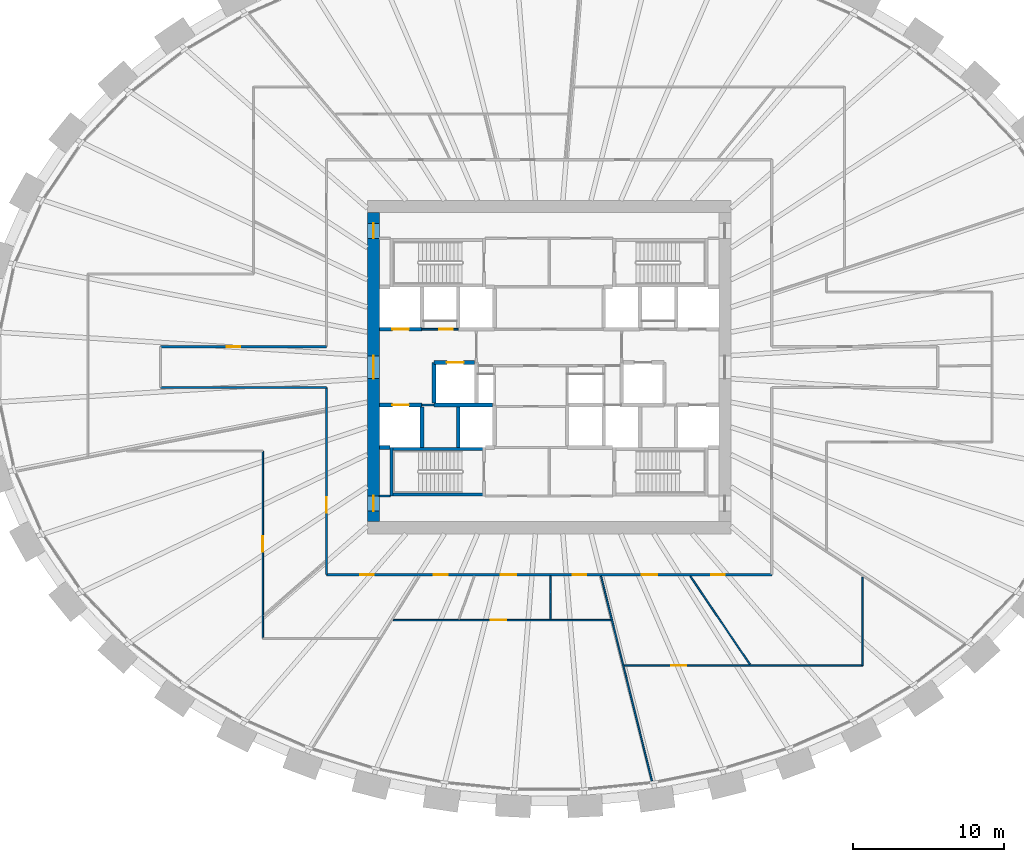
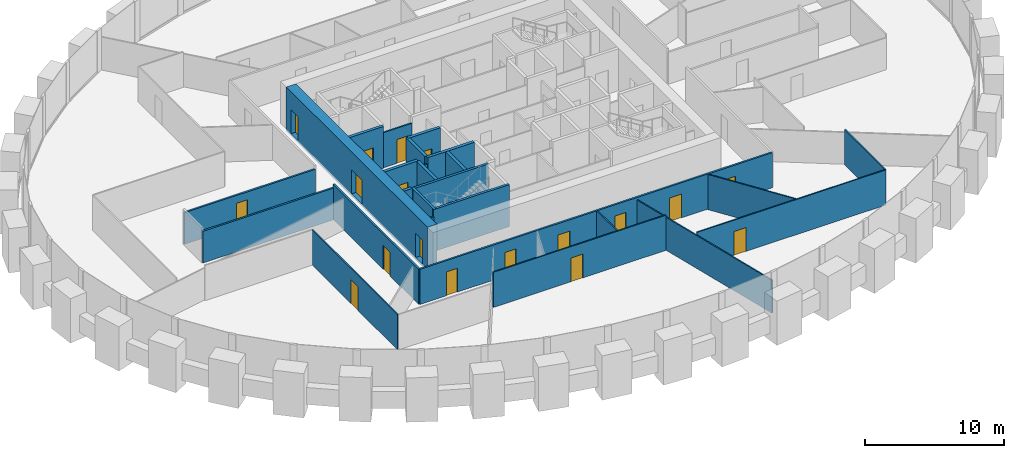
# One storey, part 6 of 10: 26 walls, 18 doors, 18 openings.
"""IFC4 building model written with IfcOpenShell, lengths in metres."""

import ifcopenshell
import ifcopenshell.guid

model = None  # the IFC model being written
_history = None  # IfcOwnerHistory: only IFC2X3 demands one
_inside = {}  # id of a spatial element -> (the spatial element, [elements in it])
_under = {}  # id of a project, library or spatial element -> (it, [spatial elements below it])
_declared = {}  # id of a project -> (the project, [libraries it declares])
_typed = {}  # id of a type object -> (the type object, [elements of that type])
_made_of = {}  # id of a material, layer set ... -> (it, [elements and type objects made of it])


def new_model(schema):
    """Start an empty IFC model of exactly this schema.

    Asked for "IFC4X3", IfcOpenShell would pick the latest addendum, in which some entities
    have other attributes; the version numbers below select the first issue.
    IFC2X3 requires an IfcOwnerHistory on every rooted entity: one is made here for all.
    """
    global model, _history
    if schema == "IFC4X3":
        model = ifcopenshell.file(schema_version=(4, 3, 0, 0))
    else:
        model = ifcopenshell.file(schema=schema)
    _inside.clear()
    _under.clear()
    _declared.clear()
    _typed.clear()
    _made_of.clear()
    _history = None
    if model.schema == "IFC2X3":
        org = make("IfcOrganization", Name="unknown")
        user = make(
            "IfcPersonAndOrganization",
            ThePerson=make("IfcPerson", FamilyName="unknown"),
            TheOrganization=org,
        )
        app = make(
            "IfcApplication",
            ApplicationDeveloper=org,
            Version="unknown",
            ApplicationFullName="unknown",
            ApplicationIdentifier="unknown",
        )
        _history = make(
            "IfcOwnerHistory",
            OwningUser=user,
            OwningApplication=app,
            ChangeAction="ADDED",
            CreationDate=0,
        )
    return model


def make(cls, **values):
    """One entity of the class cls with the attributes given. An attribute that is None is left unset."""
    return model.create_entity(
        cls, **{name: value for name, value in values.items() if value is not None}
    )


def rooted(cls, **values):
    """An entity with a GlobalId (a new one), such as an element, a storey or a relation."""
    return make(cls, GlobalId=ifcopenshell.guid.new(), OwnerHistory=_history, **values)


def si_unit(unit_type, name, prefix=None):
    """IfcSIUnit, for example si_unit("LENGTHUNIT", "METRE", prefix="MILLI")."""
    return make("IfcSIUnit", UnitType=unit_type, Prefix=prefix, Name=name)


def assignment(units):
    """IfcUnitAssignment: the units of a project."""
    return None if units is None else make("IfcUnitAssignment", Units=units)


def point(xyz):
    """IfcCartesianPoint."""
    return None if xyz is None else make("IfcCartesianPoint", Coordinates=xyz)


def direction(xyz):
    """IfcDirection."""
    return None if xyz is None else make("IfcDirection", DirectionRatios=xyz)


def frame(location, z_axis=None, x_axis=None):
    """IfcAxis2Placement3D, a coordinate frame: its origin and axes. An axis left out is left unset."""
    return make(
        "IfcAxis2Placement3D",
        Location=point(location),
        Axis=direction(z_axis),
        RefDirection=direction(x_axis),
    )


def frame_2d(location, x_axis=None):
    """IfcAxis2Placement2D, a coordinate frame in the plane: its origin and x axis."""
    return make(
        "IfcAxis2Placement2D", Location=point(location), RefDirection=direction(x_axis)
    )


def origin():
    """The frame at (0, 0, 0) with its axes left unset."""
    return frame((0.0, 0.0, 0.0))


def place(relative_to, where):
    """IfcLocalPlacement: puts the frame where relative to a parent placement (None: the world)."""
    return make(
        "IfcLocalPlacement", PlacementRelTo=relative_to, RelativePlacement=where
    )


def context(
    kind, dimensions, precision=None, world=None, true_north=None, identifier=None
):
    """IfcGeometricRepresentationContext, for example the 3D "Model" context."""
    return make(
        "IfcGeometricRepresentationContext",
        ContextIdentifier=identifier,
        ContextType=kind,
        CoordinateSpaceDimension=dimensions,
        Precision=precision,
        WorldCoordinateSystem=world,
        TrueNorth=true_north,
    )


def subcontext(parent, identifier, kind, view, scale=None):
    """IfcGeometricRepresentationSubContext, for example "Body" below "Model"."""
    return make(
        "IfcGeometricRepresentationSubContext",
        ContextIdentifier=identifier,
        ContextType=kind,
        ParentContext=parent,
        TargetScale=scale,
        TargetView=view,
    )


def project(units=None, contexts=None):
    """IfcProject with its units and contexts."""
    return rooted(
        "IfcProject",
        Name="project",
        RepresentationContexts=contexts,
        UnitsInContext=assignment(units),
    )


def spatial(cls, under=None, at=None, **own):
    """A site, building, storey or space (cls), placed at a placement, below another one or the project."""
    s = rooted(cls, ObjectPlacement=at, **own)
    if under is not None:
        _under.setdefault(under.id(), (under, []))[1].append(s)
    return s


def profile(cls, at=None, kind="AREA", **sizes):
    """A parametric profile (cls). Its sizes go by their IFC names, for example OverallWidth=200.0."""
    return make(cls, ProfileType=kind, Position=at, **sizes)


def rectangle(**sizes):
    """IfcRectangleProfileDef."""
    return profile("IfcRectangleProfileDef", **sizes)


def extrude(swept, where, along, depth):
    """IfcExtrudedAreaSolid: the profile swept, set in the frame where, extruded along a direction by depth."""
    return make(
        "IfcExtrudedAreaSolid",
        SweptArea=swept,
        Position=where,
        ExtrudedDirection=direction(along),
        Depth=depth,
    )


def shape(context_of_items, identifier, shape_type, items):
    """IfcShapeRepresentation: the items that make up one representation, for example the "Body"."""
    return make(
        "IfcShapeRepresentation",
        ContextOfItems=context_of_items,
        RepresentationIdentifier=identifier,
        RepresentationType=shape_type,
        Items=items,
    )


def source(mapping_origin, context_of_items, identifier, shape_type, items):
    """IfcRepresentationMap: a shape defined once, which mapped items show again and again."""
    return make(
        "IfcRepresentationMap",
        MappingOrigin=mapping_origin,
        MappedRepresentation=shape(context_of_items, identifier, shape_type, items),
    )


def transform(
    local_origin,
    x_axis=None,
    y_axis=None,
    z_axis=None,
    scale=None,
    scale2=None,
    scale3=None,
    uniform=True,
):
    """IfcCartesianTransformationOperator3D, or its non-uniform kind. x_axis, y_axis, z_axis: its Axis1, 2, 3."""
    if uniform:
        return make(
            "IfcCartesianTransformationOperator3D",
            Axis1=direction(x_axis),
            Axis2=direction(y_axis),
            LocalOrigin=point(local_origin),
            Scale=scale,
            Axis3=direction(z_axis),
        )
    return make(
        "IfcCartesianTransformationOperator3DnonUniform",
        Axis1=direction(x_axis),
        Axis2=direction(y_axis),
        LocalOrigin=point(local_origin),
        Scale=scale,
        Axis3=direction(z_axis),
        Scale2=scale2,
        Scale3=scale3,
    )


def mapped(mapping_source, mapping_target):
    """IfcMappedItem: shows the shape of a source again, moved by a transform."""
    return make(
        "IfcMappedItem", MappingSource=mapping_source, MappingTarget=mapping_target
    )


def material(Name=None, Category=None):
    """IfcMaterial."""
    return make("IfcMaterial", Name=Name, Category=Category)


def layer(
    of_material, thickness, ventilated=None, Name=None, Category=None, Priority=None
):
    """IfcMaterialLayer: one layer of a wall or slab, of a material (None: an air gap)."""
    return make(
        "IfcMaterialLayer",
        Material=of_material,
        LayerThickness=thickness,
        IsVentilated=ventilated,
        Name=Name,
        Category=Category,
        Priority=Priority,
    )


def layer_set(layers, Name=None):
    """IfcMaterialLayerSet."""
    return make("IfcMaterialLayerSet", MaterialLayers=layers, LayerSetName=Name)


def made_of(thing, what):
    """Note that an element or type object is made of a material, layer set ...; save() writes the relation."""
    if what is not None:
        _made_of.setdefault(what.id(), (what, []))[1].append(thing)
    return thing


def type_object(cls, material=None, **own):
    """A type object (cls), such as IfcWallType, which elements share."""
    return made_of(rooted(cls, **own), material)


def element(
    cls,
    number,
    at=None,
    inside=None,
    cuts=None,
    type_object=None,
    material=None,
    context=None,
    identifier="Body",
    shape_type=None,
    held_by="IfcProductDefinitionShape",
    body=None,
    shapes=None,
    **own,
):
    """One element of the class cls, such as IfcWall. Its Tag is "e" and its number.

    at: its placement. inside: the storey or other place that contains it. cuts: it is an
    opening in that element (IfcRelVoidsElement). A single representation is given by context,
    identifier, shape_type and body (its items); several are given by shapes. held_by: the class
    of the entity that holds the representations. save() writes the other relations.
    """
    e = rooted(cls, Tag="e%d" % number, ObjectPlacement=at, **own)
    if body is not None:
        shapes = [shape(context, identifier, shape_type, body)]
    if shapes is not None:
        e.Representation = make(held_by, Representations=shapes)
    if inside is not None:
        _inside.setdefault(inside.id(), (inside, []))[1].append(e)
    if cuts is not None:
        rooted(
            "IfcRelVoidsElement", RelatingBuildingElement=cuts, RelatedOpeningElement=e
        )
    if type_object is not None:
        _typed.setdefault(type_object.id(), (type_object, []))[1].append(e)
    return made_of(e, material)


def fill(opening, filler):
    """IfcRelFillsElement: the door or window that sits in an opening."""
    return rooted(
        "IfcRelFillsElement",
        RelatingOpeningElement=opening,
        RelatedBuildingElement=filler,
    )


def aggregate(whole, parts):
    """IfcRelAggregates: a whole, such as a stair, and the parts it consists of."""
    return rooted("IfcRelAggregates", RelatingObject=whole, RelatedObjects=parts)


def save(model, path):
    """Write the relations noted so far, then the file.

    IfcRelAggregates (storeys below a building ...), IfcRelContainedInSpatialStructure (elements
    in a storey), IfcRelDefinesByType, IfcRelAssociatesMaterial and IfcRelDeclares: one each for
    every whole, place, type object, material and project.
    """
    for whole, parts in _under.values():
        aggregate(whole, parts)
    for where, things in _inside.values():
        rooted(
            "IfcRelContainedInSpatialStructure",
            RelatedElements=things,
            RelatingStructure=where,
        )
    for kind, things in _typed.values():
        rooted("IfcRelDefinesByType", RelatedObjects=things, RelatingType=kind)
    for what, things in _made_of.values():
        rooted("IfcRelAssociatesMaterial", RelatedObjects=things, RelatingMaterial=what)
    for by, libraries in _declared.values():
        rooted("IfcRelDeclares", RelatingContext=by, RelatedDefinitions=libraries)
    model.write(path)


model = new_model("IFC4")

# Units and contexts
model_context = context("Model", 3, precision=1e-05, world=origin(), true_north=direction((0.0, 1.0)))
body_context = subcontext(model_context, "Body", "Model", "MODEL_VIEW")
ifc_project = project(units=[si_unit("LENGTHUNIT", "METRE"), si_unit("AREAUNIT", "SQUARE_METRE"), si_unit("VOLUMEUNIT", "CUBIC_METRE"), si_unit("PLANEANGLEUNIT", "RADIAN"), si_unit("MASSUNIT", "GRAM", prefix="KILO")], contexts=[model_context])

# Site, building, storey
site_placement = place(None, origin())
site = spatial("IfcSite", under=ifc_project, at=site_placement, CompositionType="ELEMENT")
building_placement = place(site_placement, origin())
building = spatial("IfcBuilding", under=site, at=building_placement, Name="Embergate Tower", CompositionType="ELEMENT")
storey_placement = place(building_placement, frame((0.0, 0.0, 167.699951171875)))
storey = spatial("IfcBuildingStorey", under=building, at=storey_placement, Name="L37", CompositionType="ELEMENT", Elevation=167.699951171875)

# Wall, openings, doors
ifc_material_1 = material(Name="Concrete C70", Category="concrete")
ifc_layer_1 = layer(ifc_material_1, 0.800048828125)
ifc_layer_set_1 = layer_set([ifc_layer_1], Name="Concrete C70")
wall_type_1 = type_object("IfcWallType", Name="Core outer wall C70 800", PredefinedType="SHEAR", material=ifc_layer_set_1)
shared_shape_1 = source(origin(), body_context, "Body", "SweptSolid", [
    extrude(rectangle(XDim=20.39990234375, YDim=0.800048828125, at=frame_2d((10.199951171875, 0.0))), origin(), (0.0, 0.0, 1.0), 3.89990234375),
])
wall_1_placement = place(storey_placement, frame((-11.60009765625, -10.199951171875, -0.199951171875), z_axis=(0.0, 0.0, 1.0), x_axis=(0.0, 1.0, 0.0)))
wall_1 = element("IfcWall", 1, at=wall_1_placement, inside=storey, type_object=wall_type_1, Name="CW-L37-W", PredefinedType="SHEAR", context=body_context, shape_type="MappedRepresentation", body=[
    mapped(shared_shape_1, transform((0.0, 0.0, 0.0))),
])
shared_shape_2 = source(origin(), body_context, "Body", "SweptSolid", [
    extrude(rectangle(XDim=1.0, YDim=2.10009765625, at=frame_2d((0.5, 1.050048828125))), frame((0.0, 0.409912109375, 0.0), z_axis=(0.0, -1.0, 0.0), x_axis=(1.0, 0.0, 0.0)), (0.0, 0.0, 1.0), 0.820068359375),
])
opening_1_placement = place(wall_1_placement, frame((18.699951171875, 0.0, 0.199951171875)))
opening_1 = element("IfcOpeningElement", 2, at=opening_1_placement, cuts=wall_1, Name="Opening IF-1d", PredefinedType="OPENING", context=body_context, shape_type="MappedRepresentation", body=[
    mapped(shared_shape_2, transform((0.0, 0.0, 0.0))),
])
opening_2_placement = place(wall_1_placement, frame((0.699951171875, 0.0, 0.199951171875)))
opening_2 = element("IfcOpeningElement", 3, at=opening_2_placement, cuts=wall_1, Name="Opening IF-1d", PredefinedType="OPENING", context=body_context, shape_type="MappedRepresentation", body=[
    mapped(shared_shape_2, transform((0.0, 0.0, 0.0))),
])
shared_shape_3 = source(origin(), body_context, "Body", "SweptSolid", [
    extrude(rectangle(XDim=1.5, YDim=2.10009765625, at=frame_2d((0.75, 1.050048828125))), frame((0.0, 0.409912109375, 0.0), z_axis=(0.0, -1.0, 0.0), x_axis=(1.0, 0.0, 0.0)), (0.0, 0.0, 1.0), 0.820068359375),
])
opening_3_placement = place(wall_1_placement, frame((9.449951171875, 0.0, 0.199951171875)))
opening_3 = element("IfcOpeningElement", 4, at=opening_3_placement, cuts=wall_1, Name="Opening IF-3", PredefinedType="OPENING", context=body_context, shape_type="MappedRepresentation", body=[
    mapped(shared_shape_3, transform((0.0, 0.0, 0.0))),
])
ifc_material_2 = material(Name="Lobby fire door pair 1500")
door_type_1 = type_object("IfcDoorType", Name="Lobby fire door pair 1500", OperationType="DOUBLE_DOOR_SINGLE_SWING", PredefinedType="DOOR", material=ifc_material_2)
shared_shape_4 = source(origin(), body_context, "Body", "SweptSolid", [
    extrude(rectangle(XDim=1.5, YDim=2.10009765625, at=frame_2d((0.75, 1.050048828125))), frame((0.0, 0.02490234375, 0.0), z_axis=(0.0, -1.0, 0.0), x_axis=(1.0, 0.0, 0.0)), (0.0, 0.0, 1.0), 0.050048828125),
])
door_1_placement = place(opening_3_placement, origin())
door_1 = element("IfcDoor", 5, at=door_1_placement, inside=storey, type_object=door_type_1, Name="IF-3 door", OperationType="DOUBLE_DOOR_SINGLE_SWING", OverallHeight=2.10009765625, OverallWidth=1.5, PredefinedType="DOOR", context=body_context, shape_type="MappedRepresentation", body=[
    mapped(shared_shape_4, transform((0.0, 0.0, 0.0))),
])
fill(opening_3, door_1)
ifc_material_3 = material(Name="Escape fire door 1000")
door_type_2 = type_object("IfcDoorType", Name="Escape fire door 1000", OperationType="SINGLE_SWING_LEFT", PredefinedType="DOOR", material=ifc_material_3)
shared_shape_5 = source(origin(), body_context, "Body", "SweptSolid", [
    extrude(rectangle(XDim=1.0, YDim=2.10009765625, at=frame_2d((0.5, 1.050048828125))), frame((0.0, 0.02490234375, 0.0), z_axis=(0.0, -1.0, 0.0), x_axis=(1.0, 0.0, 0.0)), (0.0, 0.0, 1.0), 0.050048828125),
])
door_2_placement = place(opening_1_placement, origin())
door_2 = element("IfcDoor", 6, at=door_2_placement, inside=storey, type_object=door_type_2, Name="IF-1 door", OperationType="SINGLE_SWING_RIGHT", OverallHeight=2.10009765625, OverallWidth=1.0, PredefinedType="DOOR", context=body_context, shape_type="MappedRepresentation", body=[
    mapped(shared_shape_5, transform((0.0, 0.0, 0.0))),
])
fill(opening_1, door_2)
door_3_placement = place(opening_2_placement, origin())
door_3 = element("IfcDoor", 7, at=door_3_placement, inside=storey, type_object=door_type_2, Name="IF-1 door", OperationType="SINGLE_SWING_RIGHT", OverallHeight=2.10009765625, OverallWidth=1.0, PredefinedType="DOOR", context=body_context, shape_type="MappedRepresentation", body=[
    mapped(shared_shape_5, transform((0.0, 0.0, 0.0))),
])
fill(opening_2, door_3)

# Wall, opening, door
ifc_material_4 = material(Name="Concrete C50", Category="concrete")
ifc_layer_2 = layer(ifc_material_4, 0.25)
ifc_layer_set_2 = layer_set([ifc_layer_2], Name="Concrete C50")
wall_type_2 = type_object("IfcWallType", Name="Hoistway wall reinforced concrete 250", PredefinedType="SHEAR", material=ifc_layer_set_2)
shared_shape_6 = source(origin(), body_context, "Body", "SweptSolid", [
    extrude(rectangle(XDim=2.675048828125, YDim=0.25, at=frame_2d((1.33740234375, 0.0))), origin(), (0.0, 0.0, 1.0), 3.699951171875),
])
wall_2_placement = place(storey_placement, frame((-4.925048828125, 0.300048828125, 0.0), z_axis=(0.0, 0.0, 1.0), x_axis=(-1.0, 0.0, 0.0)))
wall_2 = element("IfcWall", 8, at=wall_2_placement, inside=storey, type_object=wall_type_2, Name="HW-1 wall", PredefinedType="SHEAR", context=body_context, shape_type="MappedRepresentation", body=[
    mapped(shared_shape_6, transform((0.0, 0.0, 0.0))),
])
shared_shape_7 = source(origin(), body_context, "Body", "SweptSolid", [
    extrude(rectangle(XDim=1.10009765625, YDim=2.10009765625, at=frame_2d((0.550048828125, 1.050048828125))), frame((0.0, 0.135009765625, 0.0), z_axis=(0.0, -1.0, 0.0), x_axis=(1.0, 0.0, 0.0)), (0.0, 0.0, 1.0), 0.27001953125),
])
opening_4_placement = place(wall_2_placement, frame((0.72509765625, 0.0, 0.0)))
opening_4 = element("IfcOpeningElement", 9, at=opening_4_placement, cuts=wall_2, Name="Opening LD", PredefinedType="OPENING", context=body_context, shape_type="MappedRepresentation", body=[
    mapped(shared_shape_7, transform((0.0, 0.0, 0.0))),
])
ifc_material_5 = material(Name="Landing door sliding 1100")
door_type_3 = type_object("IfcDoorType", Name="Landing door sliding 1100", OperationType="SLIDING_TO_LEFT", PredefinedType="DOOR", material=ifc_material_5)
shared_shape_8 = source(origin(), body_context, "Body", "SweptSolid", [
    extrude(rectangle(XDim=1.10009765625, YDim=2.10009765625, at=frame_2d((0.550048828125, 1.050048828125))), frame((0.0, 0.02490234375, 0.0), z_axis=(0.0, -1.0, 0.0), x_axis=(1.0, 0.0, 0.0)), (0.0, 0.0, 1.0), 0.050048828125),
])
door_4_placement = place(opening_4_placement, origin())
door_4 = element("IfcDoor", 10, at=door_4_placement, inside=storey, type_object=door_type_3, Name="LD door", OperationType="SLIDING_TO_LEFT", OverallHeight=2.10009765625, OverallWidth=1.10009765625, PredefinedType="DOOR", context=body_context, shape_type="MappedRepresentation", body=[
    mapped(shared_shape_8, transform((0.0, 0.0, 0.0))),
])
fill(opening_4, door_4)

# Walls
wall_3_placement = place(storey_placement, frame((-7.60009765625, 0.300048828125, 0.0), z_axis=(0.0, 0.0, 1.0), x_axis=(0.0, -1.0, 0.0)))
element("IfcWall", 11, at=wall_3_placement, inside=storey, type_object=wall_type_2, Name="HW-1 wall", PredefinedType="SHEAR", context=body_context, shape_type="MappedRepresentation", body=[
    mapped(shared_shape_6, transform((0.0, 0.0, 0.0))),
])
ifc_layer_3 = layer(ifc_material_4, 0.199951171875)
ifc_layer_set_3 = layer_set([ifc_layer_3], Name="Concrete C50")
wall_type_3 = type_object("IfcWallType", Name="Stair enclosure wall reinforced concrete 250", PredefinedType="SHEAR", material=ifc_layer_set_3)
shared_shape_9 = source(origin(), body_context, "Body", "SweptSolid", [
    extrude(rectangle(XDim=6.300048828125, YDim=0.199951171875, at=frame_2d((3.14990234375, 0.0))), origin(), (0.0, 0.0, 1.0), 3.699951171875),
])
for number, where, z_axis, x_axis, name in (
    (12, (-10.5, -5.39990234375, 0.0), (0.0, 0.0, 1.0), (1.0, 0.0, 0.0), "SE-1 wall"),
    (13, (-10.5, -8.39990234375, 0.0), (0.0, 0.0, 1.0), (1.0, 0.0, 0.0), "SE-1 wall"),
):
    element("IfcWall", number, at=place(storey_placement, frame(where, z_axis=z_axis, x_axis=x_axis)), inside=storey, type_object=wall_type_3, Name=name, PredefinedType="SHEAR", context=body_context, shape_type="MappedRepresentation", body=[
        mapped(shared_shape_9, transform((0.0, 0.0, 0.0))),
    ])
ifc_material_6 = material(Name="Corridor wall dry-lined 150")
ifc_layer_4 = layer(ifc_material_6, 0.14990234375)
ifc_layer_set_4 = layer_set([ifc_layer_4], Name="Corridor wall dry-lined 150")
wall_type_4 = type_object("IfcWallType", Name="Corridor wall dry-lined 150", PredefinedType="PARTITIONING", material=ifc_layer_set_4)
shared_shape_10 = source(origin(), body_context, "Body", "SweptSolid", [
    extrude(rectangle(XDim=10.949951171875, YDim=0.14990234375, at=frame_2d((5.47509765625, 0.0))), origin(), (0.0, 0.0, 1.0), 2.800048828125),
])
wall_4_placement = place(storey_placement, frame((-14.699951171875, -1.35009765625, 0.0), z_axis=(0.0, 0.0, 1.0), x_axis=(-1.0, 0.0, 0.0)))
element("IfcWall", 14, at=wall_4_placement, inside=storey, type_object=wall_type_4, Name="IP-2 wall", PredefinedType="PARTITIONING", context=body_context, shape_type="MappedRepresentation", body=[
    mapped(shared_shape_10, transform((0.0, 0.0, 0.0))),
])

# Wall, opening, door
wall_5_placement = place(storey_placement, frame((-25.64990234375, 1.35009765625, 0.0), z_axis=(0.0, 0.0, 1.0), x_axis=(1.0, 0.0, 0.0)))
wall_5 = element("IfcWall", 15, at=wall_5_placement, inside=storey, type_object=wall_type_4, Name="IP-2 wall", PredefinedType="PARTITIONING", context=body_context, shape_type="MappedRepresentation", body=[
    mapped(shared_shape_10, transform((0.0, 0.0, 0.0))),
])
shared_shape_11 = source(origin(), body_context, "Body", "SweptSolid", [
    extrude(rectangle(XDim=0.89990234375, YDim=2.10009765625, at=frame_2d((0.449951171875, 1.050048828125))), frame((0.0, 0.0849609375, 0.0), z_axis=(0.0, -1.0, 0.0), x_axis=(1.0, 0.0, 0.0)), (0.0, 0.0, 1.0), 0.169921875),
])
opening_5_placement = place(wall_5_placement, frame((4.364013671875, 0.0, 0.0)))
opening_5 = element("IfcOpeningElement", 16, at=opening_5_placement, cuts=wall_5, Name="Opening IF-1c", PredefinedType="OPENING", context=body_context, shape_type="MappedRepresentation", body=[
    mapped(shared_shape_11, transform((0.0, 0.0, 0.0))),
])
ifc_material_7 = material(Name="Escape fire door 900")
door_type_4 = type_object("IfcDoorType", Name="Escape fire door 900", OperationType="SINGLE_SWING_LEFT", PredefinedType="DOOR", material=ifc_material_7)
shared_shape_12 = source(origin(), body_context, "Body", "SweptSolid", [
    extrude(rectangle(XDim=0.89990234375, YDim=2.10009765625, at=frame_2d((0.449951171875, 1.050048828125))), frame((0.0, 0.02490234375, 0.0), z_axis=(0.0, -1.0, 0.0), x_axis=(1.0, 0.0, 0.0)), (0.0, 0.0, 1.0), 0.050048828125),
])
door_5_placement = place(opening_5_placement, origin())
door_5 = element("IfcDoor", 17, at=door_5_placement, inside=storey, type_object=door_type_4, Name="IF-1 door", OperationType="SINGLE_SWING_LEFT", OverallHeight=2.10009765625, OverallWidth=0.89990234375, PredefinedType="DOOR", context=body_context, shape_type="MappedRepresentation", body=[
    mapped(shared_shape_12, transform((0.0, 0.0, 0.0))),
])
fill(opening_5, door_5)

shared_shape_13 = source(origin(), body_context, "Body", "SweptSolid", [
    extrude(rectangle(XDim=2.800048828125, YDim=0.25, at=frame_2d((1.39990234375, 0.0))), origin(), (0.0, 0.0, 1.0), 3.699951171875),
])
wall_6_placement = place(storey_placement, frame((-11.199951171875, 2.5, 0.0), z_axis=(0.0, 0.0, 1.0), x_axis=(1.0, 0.0, 0.0)))
wall_6 = element("IfcWall", 18, at=wall_6_placement, inside=storey, type_object=wall_type_2, Name="HW-1 wall", PredefinedType="SHEAR", context=body_context, shape_type="MappedRepresentation", body=[
    mapped(shared_shape_13, transform((0.0, 0.0, 0.0))),
])
opening_6_placement = place(wall_6_placement, frame((0.85009765625, 0.0, 0.0)))
opening_6 = element("IfcOpeningElement", 19, at=opening_6_placement, cuts=wall_6, Name="Opening LD", PredefinedType="OPENING", context=body_context, shape_type="MappedRepresentation", body=[
    mapped(shared_shape_7, transform((0.0, 0.0, 0.0))),
])
door_6_placement = place(opening_6_placement, origin())
door_6 = element("IfcDoor", 20, at=door_6_placement, inside=storey, type_object=door_type_3, Name="LD door", OperationType="SLIDING_TO_RIGHT", OverallHeight=2.10009765625, OverallWidth=1.10009765625, PredefinedType="DOOR", context=body_context, shape_type="MappedRepresentation", body=[
    mapped(shared_shape_8, transform((0.0, 0.0, 0.0))),
])
fill(opening_6, door_6)

wall_7_placement = place(storey_placement, frame((-8.39990234375, -2.5, 0.0), z_axis=(0.0, 0.0, 1.0), x_axis=(-1.0, 0.0, 0.0)))
wall_7 = element("IfcWall", 21, at=wall_7_placement, inside=storey, type_object=wall_type_2, Name="HW-1 wall", PredefinedType="SHEAR", context=body_context, shape_type="MappedRepresentation", body=[
    mapped(shared_shape_13, transform((0.0, 0.0, 0.0))),
])
opening_7_placement = place(wall_7_placement, frame((0.85009765625, 0.0, 0.0)))
opening_7 = element("IfcOpeningElement", 22, at=opening_7_placement, cuts=wall_7, Name="Opening LD", PredefinedType="OPENING", context=body_context, shape_type="MappedRepresentation", body=[
    mapped(shared_shape_7, transform((0.0, 0.0, 0.0))),
])
door_7_placement = place(opening_7_placement, origin())
door_7 = element("IfcDoor", 23, at=door_7_placement, inside=storey, type_object=door_type_3, Name="LD door", OperationType="SLIDING_TO_RIGHT", OverallHeight=2.10009765625, OverallWidth=1.10009765625, PredefinedType="DOOR", context=body_context, shape_type="MappedRepresentation", body=[
    mapped(shared_shape_8, transform((0.0, 0.0, 0.0))),
])
fill(opening_7, door_7)

ifc_material_8 = material(Name="Core partition blockwork 120")
ifc_layer_5 = layer(ifc_material_8, 0.1201171875)
ifc_layer_set_5 = layer_set([ifc_layer_5], Name="Core partition blockwork 120")
wall_type_5 = type_object("IfcWallType", Name="Core partition blockwork 120", PredefinedType="PARTITIONING", material=ifc_layer_set_5)
shared_shape_14 = source(origin(), body_context, "Body", "SweptSolid", [
    extrude(rectangle(XDim=2.39990234375, YDim=0.1201171875, at=frame_2d((1.199951171875, 0.0))), origin(), (0.0, 0.0, 1.0), 3.10009765625),
])
wall_8_placement = place(storey_placement, frame((-8.39990234375, 2.5, 0.0), z_axis=(0.0, 0.0, 1.0), x_axis=(1.0, 0.0, 0.0)))
wall_8 = element("IfcWall", 24, at=wall_8_placement, inside=storey, type_object=wall_type_5, Name="IP-3 wall", PredefinedType="PARTITIONING", context=body_context, shape_type="MappedRepresentation", body=[
    mapped(shared_shape_14, transform((0.0, 0.0, 0.0))),
])
shared_shape_15 = source(origin(), body_context, "Body", "SweptSolid", [
    extrude(rectangle(XDim=0.89990234375, YDim=2.10009765625, at=frame_2d((0.449951171875, 1.050048828125))), frame((0.0, 0.070068359375, 0.0), z_axis=(0.0, -1.0, 0.0), x_axis=(1.0, 0.0, 0.0)), (0.0, 0.0, 1.0), 0.14013671875),
])
opening_8_placement = place(wall_8_placement, frame((1.14990234375, 0.0, 0.0)))
opening_8 = element("IfcOpeningElement", 25, at=opening_8_placement, cuts=wall_8, Name="Opening ID-1", PredefinedType="OPENING", context=body_context, shape_type="MappedRepresentation", body=[
    mapped(shared_shape_15, transform((0.0, 0.0, 0.0))),
])
ifc_material_9 = material(Name="Interior door 900")
door_type_5 = type_object("IfcDoorType", Name="Interior door 900", OperationType="SINGLE_SWING_LEFT", PredefinedType="DOOR", material=ifc_material_9)
door_8_placement = place(opening_8_placement, origin())
door_8 = element("IfcDoor", 26, at=door_8_placement, inside=storey, type_object=door_type_5, Name="ID-1 door", OperationType="SINGLE_SWING_LEFT", OverallHeight=2.10009765625, OverallWidth=0.89990234375, PredefinedType="DOOR", context=body_context, shape_type="MappedRepresentation", body=[
    mapped(shared_shape_12, transform((0.0, 0.0, 0.0))),
])
fill(opening_8, door_8)

# Walls
shared_shape_16 = source(origin(), body_context, "Body", "SweptSolid", [
    extrude(rectangle(XDim=3.872802734375, YDim=0.25, at=frame_2d((1.9365234375, 0.0))), origin(), (0.0, 0.0, 1.0), 3.699951171875),
])
wall_9_placement = place(storey_placement, frame((-3.72509765625, -2.5, 0.0), z_axis=(0.0, 0.0, 1.0), x_axis=(-1.0, 0.0, 0.0)))
element("IfcWall", 27, at=wall_9_placement, inside=storey, type_object=wall_type_2, Name="HW-1 wall", PredefinedType="SHEAR", context=body_context, shape_type="MappedRepresentation", body=[
    mapped(shared_shape_16, transform((0.0, 0.0, 0.0))),
])
shared_shape_17 = source(origin(), body_context, "Body", "SweptSolid", [
    extrude(rectangle(XDim=3.196044921875, YDim=0.199951171875, at=frame_2d((1.59814453125, 0.0))), origin(), (0.0, 0.0, 1.0), 3.699951171875),
])
wall_10_placement = place(storey_placement, frame((-10.39990234375, -5.302001953125, 0.0), z_axis=(0.0, 0.0, 1.0), x_axis=(0.0, -1.0, 0.0)))
element("IfcWall", 28, at=wall_10_placement, inside=storey, type_object=wall_type_3, Name="SE-1 wall", PredefinedType="SHEAR", context=body_context, shape_type="MappedRepresentation", body=[
    mapped(shared_shape_17, transform((0.0, 0.0, 0.0))),
])
shared_shape_18 = source(origin(), body_context, "Body", "SweptSolid", [
    extrude(rectangle(XDim=0.697998046875, YDim=0.25, at=frame_2d((0.34912109375, 0.0))), origin(), (0.0, 0.0, 1.0), 3.699951171875),
])
wall_11_placement = place(storey_placement, frame((-11.199951171875, -5.300048828125, 0.0), z_axis=(0.0, 0.0, 1.0), x_axis=(1.0, 0.0, 0.0)))
element("IfcWall", 29, at=wall_11_placement, inside=storey, type_object=wall_type_2, Name="HW-1 wall", PredefinedType="SHEAR", context=body_context, shape_type="MappedRepresentation", body=[
    mapped(shared_shape_18, transform((0.0, 0.0, 0.0))),
])
shared_shape_19 = source(origin(), body_context, "Body", "SweptSolid", [
    extrude(rectangle(XDim=2.671142578125, YDim=0.25, at=frame_2d((1.33544921875, 0.0))), origin(), (0.0, 0.0, 1.0), 3.699951171875),
])
for number, where, z_axis, x_axis, name in (
    (30, (-8.39990234375, -5.298095703125, 0.0), (0.0, 0.0, 1.0), (0.0, 1.0, 0.0), "HW-1 wall"),
    (31, (-6.0, -2.626953125, 0.0), (0.0, 0.0, 1.0), (0.0, -1.0, 0.0), "HW-1 wall"),
):
    element("IfcWall", number, at=place(storey_placement, frame(where, z_axis=z_axis, x_axis=x_axis)), inside=storey, type_object=wall_type_2, Name=name, PredefinedType="SHEAR", context=body_context, shape_type="MappedRepresentation", body=[
        mapped(shared_shape_19, transform((0.0, 0.0, 0.0))),
    ])
shared_shape_20 = source(origin(), body_context, "Body", "SweptSolid", [
    extrude(rectangle(XDim=0.7958984375, YDim=0.1201171875, at=frame_2d((0.39794921875, 0.0))), origin(), (0.0, 0.0, 1.0), 3.10009765625),
])
wall_12_placement = place(storey_placement, frame((-8.39794921875, -2.5, 0.0), z_axis=(0.0, 0.0, 1.0), x_axis=(1.0, 0.0, 0.0)))
element("IfcWall", 32, at=wall_12_placement, inside=storey, type_object=wall_type_5, Name="IP-3 wall", PredefinedType="PARTITIONING", context=body_context, shape_type="MappedRepresentation", body=[
    mapped(shared_shape_20, transform((0.0, 0.0, 0.0))),
])
shared_shape_21 = source(origin(), body_context, "Body", "SweptSolid", [
    extrude(rectangle(XDim=0.697998046875, YDim=0.1201171875, at=frame_2d((0.34912109375, 0.0))), origin(), (0.0, 0.0, 1.0), 3.10009765625),
])
wall_13_placement = place(storey_placement, frame((-10.501953125, -8.5, 0.0), z_axis=(0.0, 0.0, 1.0), x_axis=(-1.0, 0.0, 0.0)))
element("IfcWall", 33, at=wall_13_placement, inside=storey, type_object=wall_type_5, Name="IP-3 wall", PredefinedType="PARTITIONING", context=body_context, shape_type="MappedRepresentation", body=[
    mapped(shared_shape_21, transform((0.0, 0.0, 0.0))),
])

# Wall, opening, door
shared_shape_22 = source(origin(), body_context, "Body", "SweptSolid", [
    extrude(rectangle(XDim=12.349853515625, YDim=0.14990234375, at=frame_2d((6.1748046875, 0.0))), origin(), (0.0, 0.0, 1.0), 3.10009765625),
])
wall_14_placement = place(storey_placement, frame((-14.699951171875, -13.699951171875, 0.0), z_axis=(0.0, 0.0, 1.0), x_axis=(0.0, 1.0, 0.0)))
wall_14 = element("IfcWall", 34, at=wall_14_placement, inside=storey, type_object=wall_type_4, Name="IP-2 wall", PredefinedType="PARTITIONING", context=body_context, shape_type="MappedRepresentation", body=[
    mapped(shared_shape_22, transform((0.0, 0.0, 0.0))),
])
shared_shape_23 = source(origin(), body_context, "Body", "SweptSolid", [
    extrude(rectangle(XDim=1.0, YDim=2.10009765625, at=frame_2d((0.5, 1.050048828125))), frame((0.0, 0.0849609375, 0.0), z_axis=(0.0, -1.0, 0.0), x_axis=(1.0, 0.0, 0.0)), (0.0, 0.0, 1.0), 0.169921875),
])
opening_9_placement = place(wall_14_placement, frame((4.095947265625, 0.0, 0.0)))
opening_9 = element("IfcOpeningElement", 35, at=opening_9_placement, cuts=wall_14, Name="Opening ID-2", PredefinedType="OPENING", context=body_context, shape_type="MappedRepresentation", body=[
    mapped(shared_shape_23, transform((0.0, 0.0, 0.0))),
])
ifc_material_10 = material(Name="Interior door 1000")
door_type_6 = type_object("IfcDoorType", Name="Interior door 1000", OperationType="SINGLE_SWING_LEFT", PredefinedType="DOOR", material=ifc_material_10)
door_9_placement = place(opening_9_placement, origin())
door_9 = element("IfcDoor", 36, at=door_9_placement, inside=storey, type_object=door_type_6, Name="ID-2 door", OperationType="SINGLE_SWING_LEFT", OverallHeight=2.10009765625, OverallWidth=1.0, PredefinedType="DOOR", context=body_context, shape_type="MappedRepresentation", body=[
    mapped(shared_shape_5, transform((0.0, 0.0, 0.0))),
])
fill(opening_9, door_9)

# Wall, openings, doors
shared_shape_24 = source(origin(), body_context, "Body", "SweptSolid", [
    extrude(rectangle(XDim=29.39990234375, YDim=0.14990234375, at=frame_2d((14.699951171875, 0.0))), origin(), (0.0, 0.0, 1.0), 3.10009765625),
])
wall_15_placement = place(storey_placement, frame((14.699951171875, -13.699951171875, 0.0), z_axis=(0.0, 0.0, 1.0), x_axis=(-1.0, 0.0, 0.0)))
wall_15 = element("IfcWall", 37, at=wall_15_placement, inside=storey, type_object=wall_type_4, Name="IP-2 wall", PredefinedType="PARTITIONING", context=body_context, shape_type="MappedRepresentation", body=[
    mapped(shared_shape_24, transform((0.0, 0.0, 0.0))),
])
opening_10_placement = place(wall_15_placement, frame((26.278076171875, 0.0, 0.0)))
opening_10 = element("IfcOpeningElement", 38, at=opening_10_placement, cuts=wall_15, Name="Opening IF-1c", PredefinedType="OPENING", context=body_context, shape_type="MappedRepresentation", body=[
    mapped(shared_shape_11, transform((0.0, 0.0, 0.0))),
])
opening_11_placement = place(wall_15_placement, frame((21.40087890625, 0.0, 0.0)))
opening_11 = element("IfcOpeningElement", 39, at=opening_11_placement, cuts=wall_15, Name="Opening IF-1c", PredefinedType="OPENING", context=body_context, shape_type="MappedRepresentation", body=[
    mapped(shared_shape_11, transform((0.0, 0.0, 0.0))),
])
opening_12_placement = place(wall_15_placement, frame((16.8798828125, 0.0, 0.0)))
opening_12 = element("IfcOpeningElement", 40, at=opening_12_placement, cuts=wall_15, Name="Opening ID-2", PredefinedType="OPENING", context=body_context, shape_type="MappedRepresentation", body=[
    mapped(shared_shape_23, transform((0.0, 0.0, 0.0))),
])
opening_13_placement = place(wall_15_placement, frame((12.23291015625, 0.0, 0.0)))
opening_13 = element("IfcOpeningElement", 41, at=opening_13_placement, cuts=wall_15, Name="Opening IF-1c", PredefinedType="OPENING", context=body_context, shape_type="MappedRepresentation", body=[
    mapped(shared_shape_11, transform((0.0, 0.0, 0.0))),
])
opening_14_placement = place(wall_15_placement, frame((7.573974609375, 0.0, 0.0)))
opening_14 = element("IfcOpeningElement", 42, at=opening_14_placement, cuts=wall_15, Name="Opening ID-2", PredefinedType="OPENING", context=body_context, shape_type="MappedRepresentation", body=[
    mapped(shared_shape_23, transform((0.0, 0.0, 0.0))),
])
opening_15_placement = place(wall_15_placement, frame((3.10205078125, 0.0, 0.0)))
opening_15 = element("IfcOpeningElement", 43, at=opening_15_placement, cuts=wall_15, Name="Opening IF-1c", PredefinedType="OPENING", context=body_context, shape_type="MappedRepresentation", body=[
    mapped(shared_shape_11, transform((0.0, 0.0, 0.0))),
])
door_10_placement = place(opening_10_placement, origin())
door_10 = element("IfcDoor", 44, at=door_10_placement, inside=storey, type_object=door_type_4, Name="IF-1 door", OperationType="SINGLE_SWING_LEFT", OverallHeight=2.10009765625, OverallWidth=0.89990234375, PredefinedType="DOOR", context=body_context, shape_type="MappedRepresentation", body=[
    mapped(shared_shape_12, transform((0.0, 0.0, 0.0))),
])
fill(opening_10, door_10)
door_11_placement = place(opening_11_placement, origin())
door_11 = element("IfcDoor", 45, at=door_11_placement, inside=storey, type_object=door_type_4, Name="IF-1 door", OperationType="SINGLE_SWING_RIGHT", OverallHeight=2.10009765625, OverallWidth=0.89990234375, PredefinedType="DOOR", context=body_context, shape_type="MappedRepresentation", body=[
    mapped(shared_shape_12, transform((0.0, 0.0, 0.0))),
])
fill(opening_11, door_11)
door_12_placement = place(opening_13_placement, origin())
door_12 = element("IfcDoor", 46, at=door_12_placement, inside=storey, type_object=door_type_4, Name="IF-1 door", OperationType="SINGLE_SWING_RIGHT", OverallHeight=2.10009765625, OverallWidth=0.89990234375, PredefinedType="DOOR", context=body_context, shape_type="MappedRepresentation", body=[
    mapped(shared_shape_12, transform((0.0, 0.0, 0.0))),
])
fill(opening_13, door_12)
door_13_placement = place(opening_15_placement, origin())
door_13 = element("IfcDoor", 47, at=door_13_placement, inside=storey, type_object=door_type_4, Name="IF-1 door", OperationType="SINGLE_SWING_LEFT", OverallHeight=2.10009765625, OverallWidth=0.89990234375, PredefinedType="DOOR", context=body_context, shape_type="MappedRepresentation", body=[
    mapped(shared_shape_12, transform((0.0, 0.0, 0.0))),
])
fill(opening_15, door_13)
door_14_placement = place(opening_12_placement, origin())
door_14 = element("IfcDoor", 48, at=door_14_placement, inside=storey, type_object=door_type_6, Name="ID-2 door", OperationType="SINGLE_SWING_RIGHT", OverallHeight=2.10009765625, OverallWidth=1.0, PredefinedType="DOOR", context=body_context, shape_type="MappedRepresentation", body=[
    mapped(shared_shape_5, transform((0.0, 0.0, 0.0))),
])
fill(opening_12, door_14)
door_15_placement = place(opening_14_placement, origin())
door_15 = element("IfcDoor", 49, at=door_15_placement, inside=storey, type_object=door_type_6, Name="ID-2 door", OperationType="SINGLE_SWING_RIGHT", OverallHeight=2.10009765625, OverallWidth=1.0, PredefinedType="DOOR", context=body_context, shape_type="MappedRepresentation", body=[
    mapped(shared_shape_5, transform((0.0, 0.0, 0.0))),
])
fill(opening_14, door_15)

# Wall, opening, door
ifc_material_11 = material(Name="Partition dry-lined 100")
ifc_layer_6 = layer(ifc_material_11, 0.10009765625)
ifc_layer_set_6 = layer_set([ifc_layer_6], Name="Partition dry-lined 100")
wall_type_6 = type_object("IfcWallType", Name="Partition dry-lined 100", PredefinedType="PARTITIONING", material=ifc_layer_set_6)
shared_shape_25 = source(origin(), body_context, "Body", "SweptSolid", [
    extrude(rectangle(XDim=12.349853515625, YDim=0.10009765625, at=frame_2d((6.1748046875, 0.0))), origin(), (0.0, 0.0, 1.0), 3.10009765625),
])
wall_16_placement = place(storey_placement, frame((-18.89990234375, -17.89990234375, 0.0), z_axis=(0.0, 0.0, 1.0), x_axis=(0.0, 1.0, 0.0)))
wall_16 = element("IfcWall", 50, at=wall_16_placement, inside=storey, type_object=wall_type_6, Name="IP-1 wall", PredefinedType="PARTITIONING", context=body_context, shape_type="MappedRepresentation", body=[
    mapped(shared_shape_25, transform((0.0, 0.0, 0.0))),
])
shared_shape_26 = source(origin(), body_context, "Body", "SweptSolid", [
    extrude(rectangle(XDim=1.0, YDim=2.10009765625, at=frame_2d((0.5, 1.050048828125))), frame((0.0, 0.06005859375, 0.0), z_axis=(0.0, -1.0, 0.0), x_axis=(1.0, 0.0, 0.0)), (0.0, 0.0, 1.0), 0.1201171875),
])
opening_16_placement = place(wall_16_placement, frame((5.722900390625, 0.0, 0.0)))
opening_16 = element("IfcOpeningElement", 51, at=opening_16_placement, cuts=wall_16, Name="Opening ID-2", PredefinedType="OPENING", context=body_context, shape_type="MappedRepresentation", body=[
    mapped(shared_shape_26, transform((0.0, 0.0, 0.0))),
])
door_16_placement = place(opening_16_placement, origin())
door_16 = element("IfcDoor", 52, at=door_16_placement, inside=storey, type_object=door_type_6, Name="ID-2 door", OperationType="SINGLE_SWING_RIGHT", OverallHeight=2.10009765625, OverallWidth=1.0, PredefinedType="DOOR", context=body_context, shape_type="MappedRepresentation", body=[
    mapped(shared_shape_5, transform((0.0, 0.0, 0.0))),
])
fill(opening_16, door_16)

shared_shape_27 = source(origin(), body_context, "Body", "SweptSolid", [
    extrude(rectangle(XDim=14.3720703125, YDim=0.10009765625, at=frame_2d((7.18603515625, 0.0))), origin(), (0.0, 0.0, 1.0), 3.10009765625),
])
wall_17_placement = place(storey_placement, frame((4.0849609375, -16.699951171875, 0.0), z_axis=(0.0, 0.0, 1.0), x_axis=(-1.0, 0.0, 0.0)))
wall_17 = element("IfcWall", 53, at=wall_17_placement, inside=storey, type_object=wall_type_6, Name="IP-1 wall", PredefinedType="PARTITIONING", context=body_context, shape_type="MappedRepresentation", body=[
    mapped(shared_shape_27, transform((0.0, 0.0, 0.0))),
])
opening_17_placement = place(wall_17_placement, frame((6.92431640625, 0.0, 0.0)))
opening_17 = element("IfcOpeningElement", 54, at=opening_17_placement, cuts=wall_17, Name="Opening ID-2", PredefinedType="OPENING", context=body_context, shape_type="MappedRepresentation", body=[
    mapped(shared_shape_26, transform((0.0, 0.0, 0.0))),
])
door_17_placement = place(opening_17_placement, origin())
door_17 = element("IfcDoor", 55, at=door_17_placement, inside=storey, type_object=door_type_6, Name="ID-2 door", OperationType="SINGLE_SWING_RIGHT", OverallHeight=2.10009765625, OverallWidth=1.0, PredefinedType="DOOR", context=body_context, shape_type="MappedRepresentation", body=[
    mapped(shared_shape_5, transform((0.0, 0.0, 0.0))),
])
fill(opening_17, door_17)

# Walls
shared_shape_28 = source(origin(), body_context, "Body", "SweptSolid", [
    extrude(rectangle(XDim=2.875, YDim=0.10009765625, at=frame_2d((1.4375, 0.0))), origin(), (0.0, 0.0, 1.0), 3.10009765625),
])
wall_18_placement = place(storey_placement, frame((0.0849609375, -13.77490234375, 0.0), z_axis=(0.0, 0.0, 1.0), x_axis=(0.006283843324, -0.999980256462, 0.0)))
element("IfcWall", 56, at=wall_18_placement, inside=storey, type_object=wall_type_6, Name="IP-1 wall", PredefinedType="PARTITIONING", context=body_context, shape_type="MappedRepresentation", body=[
    mapped(shared_shape_28, transform((0.0, 0.0, 0.0))),
])
shared_shape_29 = source(origin(), body_context, "Body", "SweptSolid", [
    extrude(rectangle(XDim=14.034912109375, YDim=0.10009765625, at=frame_2d((7.017578125, 0.0))), origin(), (0.0, 0.0, 1.0), 2.900146484375),
])
wall_19_placement = place(storey_placement, frame((3.426025390625, -13.787109375, 0.0), z_axis=(0.0, 0.0, 1.0), x_axis=(0.24111509686, -0.970496527591, 0.0)))
element("IfcWall", 57, at=wall_19_placement, inside=storey, type_object=wall_type_6, Name="IP-1 wall", PredefinedType="PARTITIONING", context=body_context, shape_type="MappedRepresentation", body=[
    mapped(shared_shape_29, transform((0.0, 0.0, 0.0))),
])
shared_shape_30 = source(origin(), body_context, "Body", "SweptSolid", [
    extrude(rectangle(XDim=7.021728515625, YDim=0.10009765625, at=frame_2d((3.5107421875, 0.0))), origin(), (0.0, 0.0, 1.0), 3.10009765625),
])
wall_20_placement = place(storey_placement, frame((9.323974609375, -13.802978515625, 0.0), z_axis=(0.0, 0.0, 1.0), x_axis=(0.559672882292, -0.828713620515, 0.0)))
element("IfcWall", 58, at=wall_20_placement, inside=storey, type_object=wall_type_6, Name="IP-1 wall", PredefinedType="PARTITIONING", context=body_context, shape_type="MappedRepresentation", body=[
    mapped(shared_shape_30, transform((0.0, 0.0, 0.0))),
])

# Wall, opening, door
shared_shape_31 = source(origin(), body_context, "Body", "SweptSolid", [
    extrude(rectangle(XDim=15.740966796875, YDim=0.10009765625, at=frame_2d((7.87060546875, 0.0))), origin(), (0.0, 0.0, 1.0), 3.10009765625),
])
wall_21_placement = place(storey_placement, frame((4.958984375, -19.699951171875, 0.0), z_axis=(0.0, 0.0, 1.0), x_axis=(1.0, 0.0, 0.0)))
wall_21 = element("IfcWall", 59, at=wall_21_placement, inside=storey, type_object=wall_type_6, Name="IP-1 wall", PredefinedType="PARTITIONING", context=body_context, shape_type="MappedRepresentation", body=[
    mapped(shared_shape_31, transform((0.0, 0.0, 0.0))),
])
opening_18_placement = place(wall_21_placement, frame((3.097412109375, 0.0, 0.0)))
opening_18 = element("IfcOpeningElement", 60, at=opening_18_placement, cuts=wall_21, Name="Opening ID-2", PredefinedType="OPENING", context=body_context, shape_type="MappedRepresentation", body=[
    mapped(shared_shape_26, transform((0.0, 0.0, 0.0))),
])
door_18_placement = place(opening_18_placement, origin())
door_18 = element("IfcDoor", 61, at=door_18_placement, inside=storey, type_object=door_type_6, Name="ID-2 door", OperationType="SINGLE_SWING_LEFT", OverallHeight=2.10009765625, OverallWidth=1.0, PredefinedType="DOOR", context=body_context, shape_type="MappedRepresentation", body=[
    mapped(shared_shape_5, transform((0.0, 0.0, 0.0))),
])
fill(opening_18, door_18)

# Wall
shared_shape_32 = source(origin(), body_context, "Body", "SweptSolid", [
    extrude(rectangle(XDim=5.845947265625, YDim=0.10009765625, at=frame_2d((2.9228515625, 0.0))), origin(), (0.0, 0.0, 1.0), 3.10009765625),
])
wall_22_placement = place(storey_placement, frame((20.699951171875, -13.85400390625, 0.0), z_axis=(0.0, 0.0, 1.0), x_axis=(0.0, -1.0, 0.0)))
element("IfcWall", 62, at=wall_22_placement, inside=storey, type_object=wall_type_6, Name="IP-1 wall", PredefinedType="PARTITIONING", context=body_context, shape_type="MappedRepresentation", body=[
    mapped(shared_shape_32, transform((0.0, 0.0, 0.0))),
])

save(model, "model.ifc")
